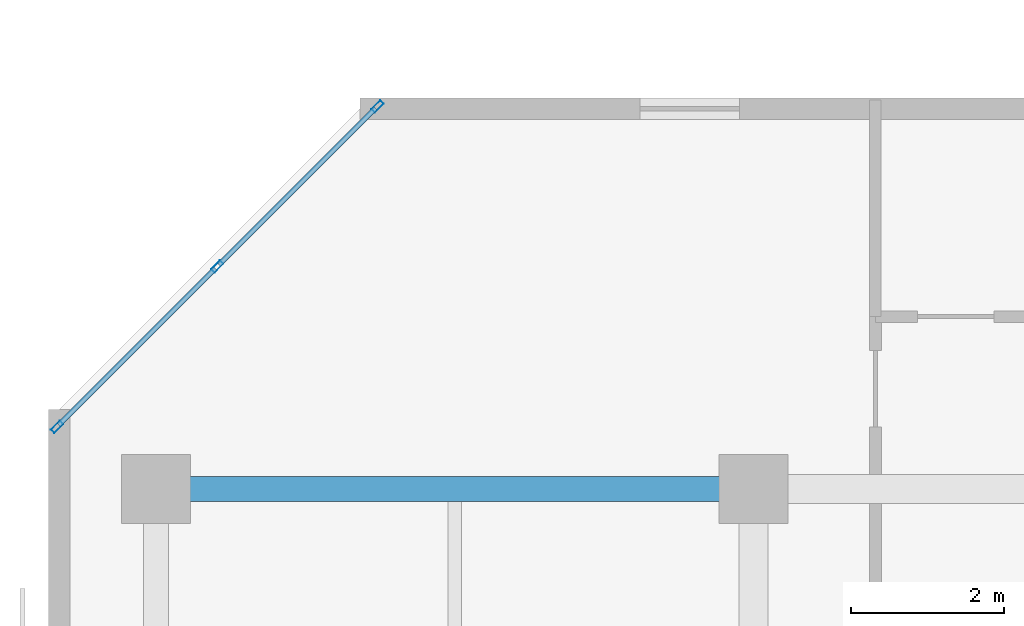
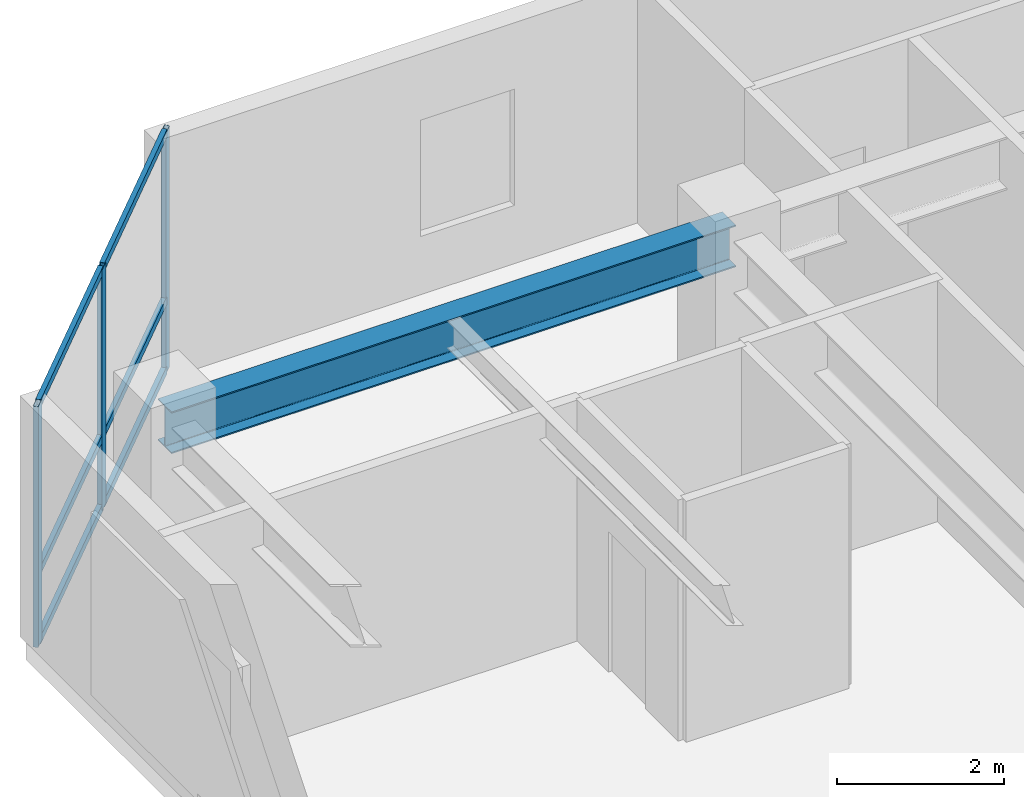
# One storey, part 2 of 10: 9 members, 1 beam, 1 element without a shape of its own.
"""IFC4 building model written with IfcOpenShell, lengths in metres."""

from ifc_helpers import new_model, si_unit, direction, frame, origin, origin_2d, place, context, subcontext, project, spatial, hollow_rectangle, i_section, extrude, material, layer, layer_set, material_profile, profile_set, type_object, element, aggregate, save


model = new_model("IFC4")

# Units and contexts
model_context = context("Model", 3, precision=1e-05, world=origin(), true_north=direction((0.0, 1.0)))
body_context = subcontext(model_context, "Body", "Model", "MODEL_VIEW")
ifc_project = project(units=[si_unit("LENGTHUNIT", "METRE"), si_unit("AREAUNIT", "SQUARE_METRE"), si_unit("VOLUMEUNIT", "CUBIC_METRE"), si_unit("PLANEANGLEUNIT", "RADIAN"), si_unit("MASSUNIT", "GRAM", prefix="KILO")], contexts=[model_context])

# Site, building, storey
site_placement = place(None, origin())
site = spatial("IfcSite", under=ifc_project, at=site_placement, CompositionType="ELEMENT")
building_placement = place(site_placement, origin())
building = spatial("IfcBuilding", under=site, at=building_placement, Name="Kestravale Grand Hotel", CompositionType="ELEMENT")
storey_placement = place(building_placement, frame((0.0, 0.0, 236.5)))
storey = spatial("IfcBuildingStorey", under=building, at=storey_placement, Name="L59", CompositionType="ELEMENT", Elevation=236.5)

# Beam
ifc_material_1 = material(Name="Steel ASTM A992 Grade 50", Category="steel")
ifc_material_profile_1 = material_profile(ifc_material_1, i_section(OverallWidth=0.324951171875, OverallDepth=0.612060546875, WebThickness=0.0126953125, FlangeThickness=0.01904296875, FilletRadius=0.018798828125, at=origin_2d()))
ifc_profile_set_1 = profile_set([ifc_material_profile_1], Name="Steel ASTM A992 Grade 50")
beam_type = type_object("IfcBeamType", Name="B-FLR-W24A", PredefinedType="SPANDREL", material=ifc_profile_set_1)
beam_placement = place(storey_placement, frame((7.800048828125, 38.39990234375, 3.214111328125), z_axis=(1.0, 0.0, 0.0), x_axis=(0.0, 1.0, 0.0)))
element("IfcBeam", 1, at=beam_placement, inside=storey, type_object=beam_type, Name="L59 spandrel F:2-3", PredefinedType="SPANDREL", context=body_context, shape_type="SweptSolid", body=[
    extrude(i_section(OverallWidth=0.324951171875, OverallDepth=0.612060546875, WebThickness=0.0126953125, FlangeThickness=0.01904296875, FilletRadius=0.018798828125, at=origin_2d()), origin(), (0.0, 0.0, 1.0), 7.800048828125),
])

# Curtain wall, members
ifc_material_2 = material(Name="Thermally broken champagne-bronze aluminium and low-E glazing", Category="aluminium")
ifc_layer = layer(ifc_material_2, 0.179931640625)
ifc_layer_set = layer_set([ifc_layer], Name="CW-Z3")
curtain_wall_type = type_object("IfcCurtainWallType", Name="CW-Z3", PredefinedType="NOTDEFINED", material=ifc_layer_set)
curtain_wall_placement = place(storey_placement, origin())
curtain_wall = element("IfcCurtainWall", 2, at=curtain_wall_placement, inside=storey, type_object=curtain_wall_type, Name="L59 unitised curtain wall 18", PredefinedType="NOTDEFINED")
ifc_material_3 = material(Name="Aluminium 6063-T6 anodised", Category="aluminium")
ifc_material_profile_2 = material_profile(ifc_material_3, hollow_rectangle(XDim=0.06494140625, YDim=0.1650390625, WallThickness=0.00341796875, at=origin_2d()))
ifc_profile_set_2 = profile_set([ifc_material_profile_2], Name="Aluminium 6063-T6 anodised")
member_type_1 = type_object("IfcMemberType", Name="CW-MUL-165", PredefinedType="MULLION", material=ifc_profile_set_2)
member_1_placement = place(storey_placement, frame((10.690185546875, 43.392333984375, 0.0), z_axis=(0.0, 0.0, 1.0), x_axis=(0.707106781187, -0.707106781187, 0.0)))
member_1 = element("IfcMember", 3, at=member_1_placement, type_object=member_type_1, Name="CW-Z3 mullion 1", PredefinedType="MULLION", context=body_context, shape_type="SweptSolid", body=[
    extrude(hollow_rectangle(XDim=0.06494140625, YDim=0.1650390625, WallThickness=0.00341796875, at=origin_2d()), origin(), (0.0, 0.0, 1.0), 3.52001953125),
])
member_2_placement = place(storey_placement, frame((8.59912109375, 41.301025390625, 0.0), z_axis=(0.0, 0.0, 1.0), x_axis=(0.707106781187, -0.707106781187, 0.0)))
member_2 = element("IfcMember", 4, at=member_2_placement, type_object=member_type_1, Name="CW-Z3 mullion 2", PredefinedType="MULLION", context=body_context, shape_type="SweptSolid", body=[
    extrude(hollow_rectangle(XDim=0.06494140625, YDim=0.1650390625, WallThickness=0.00341796875, at=origin_2d()), origin(), (0.0, 0.0, 1.0), 3.52001953125),
])
member_3_placement = place(storey_placement, frame((6.5078125, 39.209716796875, 0.0), z_axis=(0.0, 0.0, 1.0), x_axis=(0.707106781187, -0.707106781187, 0.0)))
member_3 = element("IfcMember", 5, at=member_3_placement, type_object=member_type_1, Name="CW-Z3 mullion 3", PredefinedType="MULLION", context=body_context, shape_type="SweptSolid", body=[
    extrude(hollow_rectangle(XDim=0.06494140625, YDim=0.1650390625, WallThickness=0.00341796875, at=origin_2d()), origin(), (0.0, 0.0, 1.0), 3.52001953125),
])
ifc_material_4 = material(Name="Aluminium 6063-T6 anodised", Category="aluminium")
ifc_material_profile_3 = material_profile(ifc_material_4, hollow_rectangle(XDim=0.06494140625, YDim=0.114990234375, WallThickness=0.003173828125, at=origin_2d()))
ifc_profile_set_3 = profile_set([ifc_material_profile_3], Name="Aluminium 6063-T6 anodised")
member_type_2 = type_object("IfcMemberType", Name="CW-TRN-115", PredefinedType="USERDEFINED", material=ifc_profile_set_3)
member_4_placement = place(storey_placement, frame((10.667236328125, 43.369140625, 0.032470703125), z_axis=(-0.707106781187, -0.707106781187, 0.0), x_axis=(0.707106781187, -0.707106781187, 0.0)))
member_4 = element("IfcMember", 6, at=member_4_placement, type_object=member_type_2, Name="CW-Z3 transom 1.1", ObjectType="TRANSOM", PredefinedType="USERDEFINED", context=body_context, shape_type="SweptSolid", body=[
    extrude(hollow_rectangle(XDim=0.06494140625, YDim=0.114990234375, WallThickness=0.003173828125, at=origin_2d()), origin(), (0.0, 0.0, 1.0), 2.892333984375),
])
member_5_placement = place(storey_placement, frame((10.667236328125, 43.369140625, 1.050048828125), z_axis=(-0.707106781187, -0.707106781187, 0.0), x_axis=(0.707106781187, -0.707106781187, 0.0)))
member_5 = element("IfcMember", 7, at=member_5_placement, type_object=member_type_2, Name="CW-Z3 transom 1.2", ObjectType="TRANSOM", PredefinedType="USERDEFINED", context=body_context, shape_type="SweptSolid", body=[
    extrude(hollow_rectangle(XDim=0.06494140625, YDim=0.114990234375, WallThickness=0.003173828125, at=origin_2d()), origin(), (0.0, 0.0, 1.0), 2.892333984375),
])
member_6_placement = place(storey_placement, frame((10.667236328125, 43.369140625, 3.487548828125), z_axis=(-0.707106781187, -0.707106781187, 0.0), x_axis=(0.707106781187, -0.707106781187, 0.0)))
member_6 = element("IfcMember", 8, at=member_6_placement, type_object=member_type_2, Name="CW-Z3 transom 1.3", ObjectType="TRANSOM", PredefinedType="USERDEFINED", context=body_context, shape_type="SweptSolid", body=[
    extrude(hollow_rectangle(XDim=0.06494140625, YDim=0.114990234375, WallThickness=0.003173828125, at=origin_2d()), origin(), (0.0, 0.0, 1.0), 2.892333984375),
])
member_7_placement = place(storey_placement, frame((8.575927734375, 41.278076171875, 0.032470703125), z_axis=(-0.707064577195, -0.707148982659, 0.0), x_axis=(0.707148982659, -0.707064577195, 0.0)))
member_7 = element("IfcMember", 9, at=member_7_placement, type_object=member_type_2, Name="CW-Z3 transom 2.1", ObjectType="TRANSOM", PredefinedType="USERDEFINED", context=body_context, shape_type="SweptSolid", body=[
    extrude(hollow_rectangle(XDim=0.06494140625, YDim=0.114990234375, WallThickness=0.003173828125, at=origin_2d()), origin(), (0.0, 0.0, 1.0), 2.892578125),
])
member_8_placement = place(storey_placement, frame((8.575927734375, 41.278076171875, 1.050048828125), z_axis=(-0.707064577195, -0.707148982659, 0.0), x_axis=(0.707148982659, -0.707064577195, 0.0)))
member_8 = element("IfcMember", 10, at=member_8_placement, type_object=member_type_2, Name="CW-Z3 transom 2.2", ObjectType="TRANSOM", PredefinedType="USERDEFINED", context=body_context, shape_type="SweptSolid", body=[
    extrude(hollow_rectangle(XDim=0.06494140625, YDim=0.114990234375, WallThickness=0.003173828125, at=origin_2d()), origin(), (0.0, 0.0, 1.0), 2.892578125),
])
member_9_placement = place(storey_placement, frame((8.575927734375, 41.278076171875, 3.487548828125), z_axis=(-0.707064577195, -0.707148982659, 0.0), x_axis=(0.707148982659, -0.707064577195, 0.0)))
member_9 = element("IfcMember", 11, at=member_9_placement, type_object=member_type_2, Name="CW-Z3 transom 2.3", ObjectType="TRANSOM", PredefinedType="USERDEFINED", context=body_context, shape_type="SweptSolid", body=[
    extrude(hollow_rectangle(XDim=0.06494140625, YDim=0.114990234375, WallThickness=0.003173828125, at=origin_2d()), origin(), (0.0, 0.0, 1.0), 2.892578125),
])
aggregate(curtain_wall, [member_1, member_2, member_3, member_4, member_5, member_6, member_7, member_8, member_9])

save(model, "model.ifc")
